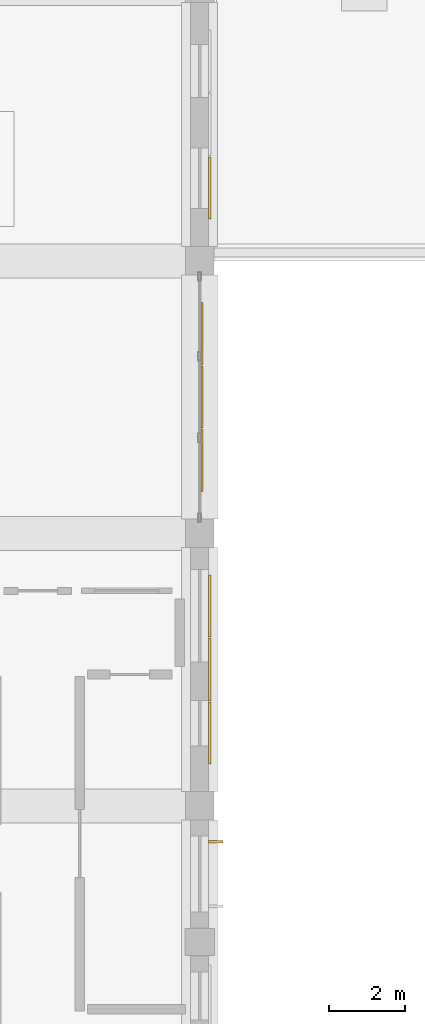
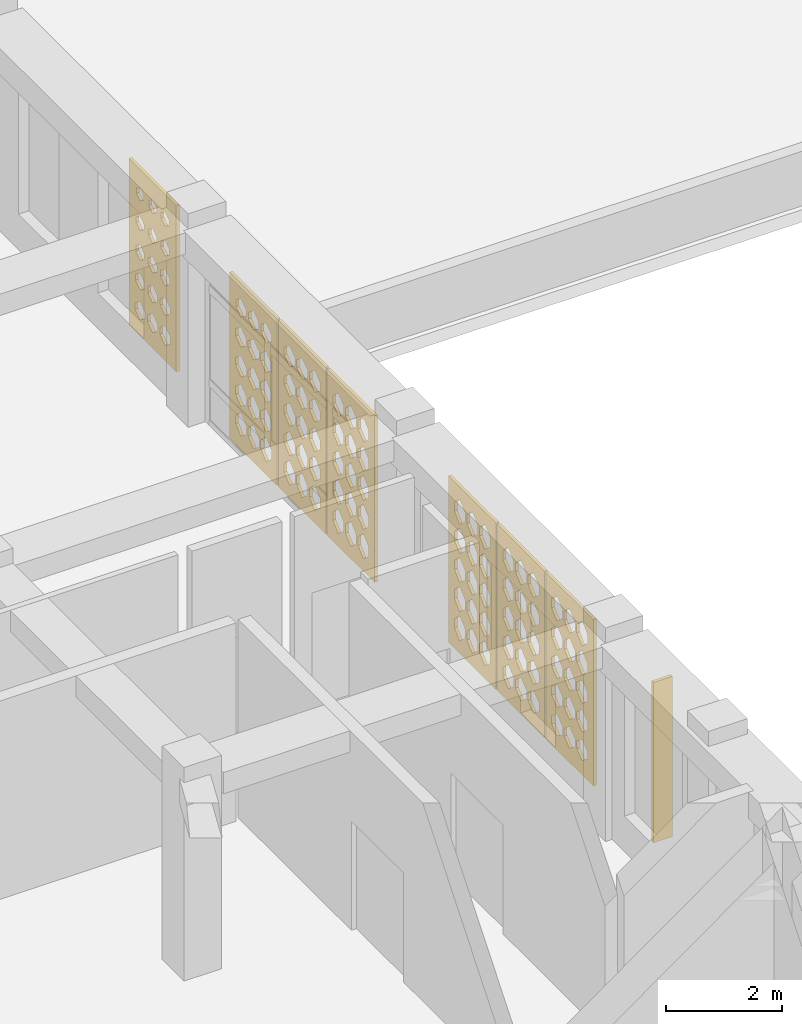
# One storey, part 111 of 121: 7 coverings, 1 shading device.
"""IFC4 building model written with IfcOpenShell, lengths in metres."""

from ifc_helpers import new_model, si_unit, derived_unit, direction, frame, origin, origin_2d, place, context, subcontext, project, spatial, polyline, rectangle, outline, extrude, material, layer, layer_set, type_object, element, save


model = new_model("IFC4")

# Units and contexts
model_context = context("Model", 3, precision=1e-05, world=origin(), true_north=direction((0.0, 1.0)))
body_context = subcontext(model_context, "Body", "Model", "MODEL_VIEW")
ifc_project = project(units=[si_unit("LENGTHUNIT", "METRE"), si_unit("AREAUNIT", "SQUARE_METRE"), si_unit("VOLUMEUNIT", "CUBIC_METRE"), si_unit("PLANEANGLEUNIT", "RADIAN"), si_unit("MASSUNIT", "GRAM", prefix="KILO"), derived_unit("THERMALTRANSMITTANCEUNIT", [(si_unit("POWERUNIT", "WATT"), 1), (si_unit("LENGTHUNIT", "METRE"), -2), (si_unit("THERMODYNAMICTEMPERATUREUNIT", "KELVIN"), -1)])], contexts=[model_context])

# Site, building, storey
site_placement = place(None, origin())
site = spatial("IfcSite", under=ifc_project, at=site_placement, CompositionType="ELEMENT")
building_placement = place(site_placement, origin())
building = spatial("IfcBuilding", under=site, at=building_placement, Name="Veybourne Emporium", CompositionType="ELEMENT")
storey_placement = place(building_placement, frame((0.0, 0.0, 5.39990234375)))
storey = spatial("IfcBuildingStorey", under=building, at=storey_placement, Name="L01", CompositionType="ELEMENT", Elevation=5.39990234375)

# Shading device
ifc_material_1 = material(Name="Patinated Architectural Bronze", Category="bronze")
shading_device_type = type_object("IfcShadingDeviceType", Name="SolarFin_FIN-01", PredefinedType="USERDEFINED", material=ifc_material_1)
shading_device_placement = place(storey_placement, frame((101.22900390625, 63.85400390625, 0.125244140625), z_axis=(0.0, 0.0, 1.0), x_axis=(0.0, -1.0, 0.0)))
element("IfcShadingDevice", 1, at=shading_device_placement, inside=storey, type_object=shading_device_type, Name="L01 bronze brise-soleil fin FIN-01 (52A.1)", ObjectType="FIN", PredefinedType="USERDEFINED", context=body_context, shape_type="SweptSolid", body=[
    extrude(rectangle(XDim=0.06494140625, YDim=0.3798828125, at=origin_2d()), origin(), (0.0, 0.0, 1.0), 3.3798828125),
])

# Coverings
ifc_material_2 = material(Name="Warm-White Perforated Aluminium Screen Alloy", Category="aluminium")
ifc_layer_1 = layer(ifc_material_2, 0.06005859375)
ifc_layer_set_1 = layer_set([ifc_layer_1], Name="Warm-White Perforated Aluminium Screen Alloy")
covering_type_1 = type_object("IfcCoveringType", Name="WaveScreen_SCR-01", PredefinedType="CLADDING", material=ifc_layer_set_1)
covering_1_placement = place(storey_placement, frame((101.09814453125, 68.39990234375, 1.815185546875), z_axis=(-1.0, 0.0, 0.0), x_axis=(0.0, -1.0, 0.0)))
element("IfcCovering", 2, at=covering_1_placement, inside=storey, type_object=covering_type_1, Name="L01 wave-perforated aluminium screen SCR-01 (53.2)", PredefinedType="CLADDING", context=body_context, shape_type="SweptSolid", body=[
    extrude(outline(polyline([(-0.81982421875, -1.7548828125), (0.81982421875, -1.7548828125), (0.81982421875, 1.7548828125), (-0.81982421875, 1.7548828125), (-0.81982421875, -1.7548828125)]), holes=[polyline([(-0.433349609375, -0.973876953125), (-0.2470703125, -1.136474609375), (-0.2470703125, -1.319580078125), (-0.433349609375, -1.482177734375), (-0.61962890625, -1.319580078125), (-0.61962890625, -1.136474609375), (-0.433349609375, -0.973876953125)]), polyline([(-0.433349609375, -0.351318359375), (-0.2470703125, -0.51953125), (-0.2470703125, -0.70849609375), (-0.433349609375, -0.876708984375), (-0.61962890625, -0.70849609375), (-0.61962890625, -0.51953125), (-0.433349609375, -0.351318359375)]), polyline([(-0.433349609375, 0.263916015625), (-0.2470703125, 0.094970703125), (-0.2470703125, -0.094970703125), (-0.433349609375, -0.263916015625), (-0.61962890625, -0.094970703125), (-0.61962890625, 0.094970703125), (-0.433349609375, 0.263916015625)]), polyline([(-0.433349609375, 0.8779296875), (-0.2470703125, 0.708984375), (-0.2470703125, 0.51904296875), (-0.433349609375, 0.35009765625), (-0.61962890625, 0.51904296875), (-0.61962890625, 0.708984375), (-0.433349609375, 0.8779296875)]), polyline([(-0.433349609375, 1.491943359375), (-0.2470703125, 1.322998046875), (-0.2470703125, 1.133056640625), (-0.433349609375, 0.964111328125), (-0.61962890625, 1.133056640625), (-0.61962890625, 1.322998046875), (-0.433349609375, 1.491943359375)]), polyline([(0.0, -0.978515625), (0.186279296875, -1.13818359375), (0.186279296875, -1.31787109375), (0.0, -1.4775390625), (-0.186279296875, -1.31787109375), (-0.186279296875, -1.13818359375), (0.0, -0.978515625)]), polyline([(0.0, -0.35498046875), (0.186279296875, -0.520751953125), (0.186279296875, -0.707275390625), (0.0, -0.873046875), (-0.186279296875, -0.707275390625), (-0.186279296875, -0.520751953125), (0.0, -0.35498046875)]), polyline([(0.0, 0.263916015625), (0.186279296875, 0.094970703125), (0.186279296875, -0.094970703125), (0.0, -0.263916015625), (-0.186279296875, -0.094970703125), (-0.186279296875, 0.094970703125), (0.0, 0.263916015625)]), polyline([(0.0, 0.8779296875), (0.186279296875, 0.708984375), (0.186279296875, 0.51904296875), (0.0, 0.35009765625), (-0.186279296875, 0.51904296875), (-0.186279296875, 0.708984375), (0.0, 0.8779296875)]), polyline([(0.0, 1.491943359375), (0.186279296875, 1.322998046875), (0.186279296875, 1.133056640625), (0.0, 0.964111328125), (-0.186279296875, 1.133056640625), (-0.186279296875, 1.322998046875), (0.0, 1.491943359375)]), polyline([(0.433349609375, -0.983154296875), (0.61962890625, -1.139892578125), (0.61962890625, -1.316162109375), (0.433349609375, -1.472900390625), (0.2470703125, -1.316162109375), (0.2470703125, -1.139892578125), (0.433349609375, -0.983154296875)]), polyline([(0.433349609375, -0.359130859375), (0.61962890625, -0.522216796875), (0.61962890625, -0.705810546875), (0.433349609375, -0.868896484375), (0.2470703125, -0.705810546875), (0.2470703125, -0.522216796875), (0.433349609375, -0.359130859375)]), polyline([(0.433349609375, 0.26318359375), (0.61962890625, 0.0947265625), (0.61962890625, -0.0947265625), (0.433349609375, -0.26318359375), (0.2470703125, -0.0947265625), (0.2470703125, 0.0947265625), (0.433349609375, 0.26318359375)]), polyline([(0.433349609375, 0.8779296875), (0.61962890625, 0.708984375), (0.61962890625, 0.51904296875), (0.433349609375, 0.35009765625), (0.2470703125, 0.51904296875), (0.2470703125, 0.708984375), (0.433349609375, 0.8779296875)]), polyline([(0.433349609375, 1.491943359375), (0.61962890625, 1.322998046875), (0.61962890625, 1.133056640625), (0.433349609375, 0.964111328125), (0.2470703125, 1.133056640625), (0.2470703125, 1.322998046875), (0.433349609375, 1.491943359375)])]), origin(), (0.0, 0.0, 1.0), 0.06005859375),
])
covering_2_placement = place(storey_placement, frame((100.89404296875, 77.280029296875, 1.815185546875), z_axis=(-1.0, 0.0, 0.0), x_axis=(0.0, -1.0, 0.0)))
element("IfcCovering", 3, at=covering_2_placement, inside=storey, type_object=covering_type_1, Name="L01 wave-perforated aluminium screen SCR-01 (54C.1)", PredefinedType="CLADDING", context=body_context, shape_type="SweptSolid", body=[
    extrude(outline(polyline([(-0.81982421875, -1.7548828125), (0.81982421875, -1.7548828125), (0.81982421875, 1.7548828125), (-0.81982421875, 1.7548828125), (-0.81982421875, -1.7548828125)]), holes=[polyline([(-0.433349609375, -0.97998046875), (-0.2470703125, -1.138671875), (-0.2470703125, -1.3173828125), (-0.433349609375, -1.47607421875), (-0.61962890625, -1.3173828125), (-0.61962890625, -1.138671875), (-0.433349609375, -0.97998046875)]), polyline([(-0.433349609375, -0.377197265625), (-0.2470703125, -0.52880859375), (-0.2470703125, -0.69921875), (-0.433349609375, -0.8505859375), (-0.61962890625, -0.69921875), (-0.61962890625, -0.52880859375), (-0.433349609375, -0.377197265625)]), polyline([(-0.433349609375, 0.22412109375), (-0.2470703125, 0.080810546875), (-0.2470703125, -0.080810546875), (-0.433349609375, -0.22412109375), (-0.61962890625, -0.080810546875), (-0.61962890625, 0.080810546875), (-0.433349609375, 0.22412109375)]), polyline([(-0.433349609375, 0.82470703125), (-0.2509765625, 0.689697265625), (-0.2509765625, 0.5380859375), (-0.433349609375, 0.4033203125), (-0.61572265625, 0.5380859375), (-0.61572265625, 0.689697265625), (-0.433349609375, 0.82470703125)]), polyline([(-0.433349609375, 1.424560546875), (-0.262451171875, 1.298828125), (-0.262451171875, 1.1572265625), (-0.433349609375, 1.031494140625), (-0.604248046875, 1.1572265625), (-0.604248046875, 1.298828125), (-0.433349609375, 1.424560546875)]), polyline([(0.0, -0.975341796875), (0.186279296875, -1.13720703125), (0.186279296875, -1.31884765625), (0.0, -1.480712890625), (-0.186279296875, -1.31884765625), (-0.186279296875, -1.13720703125), (0.0, -0.975341796875)]), polyline([(0.0, -0.3720703125), (0.186279296875, -0.52685546875), (0.186279296875, -0.701171875), (0.0, -0.85595703125), (-0.186279296875, -0.701171875), (-0.186279296875, -0.52685546875), (0.0, -0.3720703125)]), polyline([(0.0, 0.22998046875), (0.186279296875, 0.082763671875), (0.186279296875, -0.082763671875), (0.0, -0.22998046875), (-0.186279296875, -0.082763671875), (-0.186279296875, 0.082763671875), (0.0, 0.22998046875)]), polyline([(0.0, 0.830810546875), (0.186279296875, 0.692138671875), (0.186279296875, 0.535888671875), (0.0, 0.397216796875), (-0.186279296875, 0.535888671875), (-0.186279296875, 0.692138671875), (0.0, 0.830810546875)]), polyline([(0.0, 1.430908203125), (0.176025390625, 1.301025390625), (0.176025390625, 1.15478515625), (0.0, 1.02490234375), (-0.176025390625, 1.15478515625), (-0.176025390625, 1.301025390625), (0.0, 1.430908203125)]), polyline([(0.433349609375, -0.97119140625), (0.61962890625, -1.135498046875), (0.61962890625, -1.3203125), (0.433349609375, -1.48486328125), (0.2470703125, -1.3203125), (0.2470703125, -1.135498046875), (0.433349609375, -0.97119140625)]), polyline([(0.433349609375, -0.366943359375), (0.61962890625, -0.525146484375), (0.61962890625, -0.702880859375), (0.433349609375, -0.861083984375), (0.2470703125, -0.702880859375), (0.2470703125, -0.525146484375), (0.433349609375, -0.366943359375)]), polyline([(0.433349609375, 0.235595703125), (0.61962890625, 0.084716796875), (0.61962890625, -0.084716796875), (0.433349609375, -0.235595703125), (0.2470703125, -0.084716796875), (0.2470703125, 0.084716796875), (0.433349609375, 0.235595703125)]), polyline([(0.433349609375, 0.8369140625), (0.61962890625, 0.694091796875), (0.61962890625, 0.53369140625), (0.433349609375, 0.39111328125), (0.2470703125, 0.53369140625), (0.2470703125, 0.694091796875), (0.433349609375, 0.8369140625)]), polyline([(0.433349609375, 1.437255859375), (0.614501953125, 1.303466796875), (0.614501953125, 1.152587890625), (0.433349609375, 1.018798828125), (0.252197265625, 1.152587890625), (0.252197265625, 1.303466796875), (0.433349609375, 1.437255859375)])]), origin(), (0.0, 0.0, 1.0), 0.06005859375),
])
ifc_layer_2 = layer(ifc_material_2, 0.06005859375)
ifc_layer_set_2 = layer_set([ifc_layer_2], Name="Warm-White Perforated Aluminium Screen Alloy")
covering_type_2 = type_object("IfcCoveringType", Name="WaveScreen_SCR-02", PredefinedType="CLADDING", material=ifc_layer_set_2)
covering_3_placement = place(storey_placement, frame((101.09814453125, 66.719970703125, 1.815185546875), z_axis=(-1.0, 0.0, 0.0), x_axis=(0.0, -1.0, 0.0)))
element("IfcCovering", 4, at=covering_3_placement, inside=storey, type_object=covering_type_2, Name="L01 wave-perforated aluminium screen SCR-02 (53.3)", PredefinedType="CLADDING", context=body_context, shape_type="SweptSolid", body=[
    extrude(outline(polyline([(-0.81982421875, -1.7548828125), (0.81982421875, -1.7548828125), (0.81982421875, 1.7548828125), (-0.81982421875, 1.7548828125), (-0.81982421875, -1.7548828125)]), holes=[polyline([(-0.433349609375, -0.9931640625), (-0.2470703125, -1.143310546875), (-0.2470703125, -1.3125), (-0.433349609375, -1.462890625), (-0.61962890625, -1.3125), (-0.61962890625, -1.143310546875), (-0.433349609375, -0.9931640625)]), polyline([(-0.433349609375, -0.36767578125), (-0.2470703125, -0.525390625), (-0.2470703125, -0.70263671875), (-0.433349609375, -0.8603515625), (-0.61962890625, -0.70263671875), (-0.61962890625, -0.525390625), (-0.433349609375, -0.36767578125)]), polyline([(-0.433349609375, 0.25634765625), (-0.2470703125, 0.09228515625), (-0.2470703125, -0.09228515625), (-0.433349609375, -0.25634765625), (-0.61962890625, -0.09228515625), (-0.61962890625, 0.09228515625), (-0.433349609375, 0.25634765625)]), polyline([(-0.433349609375, 0.8779296875), (-0.2470703125, 0.708984375), (-0.2470703125, 0.51904296875), (-0.433349609375, 0.35009765625), (-0.61962890625, 0.51904296875), (-0.61962890625, 0.708984375), (-0.433349609375, 0.8779296875)]), polyline([(-0.433349609375, 1.491943359375), (-0.2470703125, 1.322998046875), (-0.2470703125, 1.133056640625), (-0.433349609375, 0.964111328125), (-0.61962890625, 1.133056640625), (-0.61962890625, 1.322998046875), (-0.433349609375, 1.491943359375)]), polyline([(0.0, -0.998779296875), (0.186279296875, -1.1455078125), (0.186279296875, -1.310546875), (0.0, -1.457275390625), (-0.186279296875, -1.310546875), (-0.186279296875, -1.1455078125), (0.0, -0.998779296875)]), polyline([(0.0, -0.37255859375), (0.186279296875, -0.527099609375), (0.186279296875, -0.700927734375), (0.0, -0.85546875), (-0.186279296875, -0.700927734375), (-0.186279296875, -0.527099609375), (0.0, -0.37255859375)]), polyline([(0.0, 0.251953125), (0.186279296875, 0.0908203125), (0.186279296875, -0.0908203125), (0.0, -0.251953125), (-0.186279296875, -0.0908203125), (-0.186279296875, 0.0908203125), (0.0, 0.251953125)]), polyline([(0.0, 0.875), (0.186279296875, 0.7080078125), (0.186279296875, 0.52001953125), (0.0, 0.35302734375), (-0.186279296875, 0.52001953125), (-0.186279296875, 0.7080078125), (0.0, 0.875)]), polyline([(0.0, 1.491943359375), (0.186279296875, 1.322998046875), (0.186279296875, 1.133056640625), (0.0, 0.964111328125), (-0.186279296875, 1.133056640625), (-0.186279296875, 1.322998046875), (0.0, 1.491943359375)]), polyline([(0.433349609375, -1.004638671875), (0.61962890625, -1.147705078125), (0.61962890625, -1.308349609375), (0.433349609375, -1.451416015625), (0.2470703125, -1.308349609375), (0.2470703125, -1.147705078125), (0.433349609375, -1.004638671875)]), polyline([(0.433349609375, -0.3779296875), (0.61962890625, -0.529052734375), (0.61962890625, -0.698974609375), (0.433349609375, -0.85009765625), (0.2470703125, -0.698974609375), (0.2470703125, -0.529052734375), (0.433349609375, -0.3779296875)]), polyline([(0.433349609375, 0.247314453125), (0.61962890625, 0.089111328125), (0.61962890625, -0.089111328125), (0.433349609375, -0.247314453125), (0.2470703125, -0.089111328125), (0.2470703125, 0.089111328125), (0.433349609375, 0.247314453125)]), polyline([(0.433349609375, 0.87109375), (0.61962890625, 0.70654296875), (0.61962890625, 0.521484375), (0.433349609375, 0.35693359375), (0.2470703125, 0.521484375), (0.2470703125, 0.70654296875), (0.433349609375, 0.87109375)]), polyline([(0.433349609375, 1.491943359375), (0.61962890625, 1.322998046875), (0.61962890625, 1.133056640625), (0.433349609375, 0.964111328125), (0.2470703125, 1.133056640625), (0.2470703125, 1.322998046875), (0.433349609375, 1.491943359375)])]), origin(), (0.0, 0.0, 1.0), 0.06005859375),
])
covering_4_placement = place(storey_placement, frame((100.89404296875, 75.60009765625, 1.815185546875), z_axis=(-1.0, 0.0, 0.0), x_axis=(0.0, -1.0, 0.0)))
element("IfcCovering", 5, at=covering_4_placement, inside=storey, type_object=covering_type_2, Name="L01 wave-perforated aluminium screen SCR-02 (54C.2)", PredefinedType="CLADDING", context=body_context, shape_type="SweptSolid", body=[
    extrude(outline(polyline([(-0.81982421875, -1.7548828125), (0.81982421875, -1.7548828125), (0.81982421875, 1.7548828125), (-0.81982421875, 1.7548828125), (-0.81982421875, -1.7548828125)]), holes=[polyline([(-0.433349609375, -0.96435546875), (-0.2470703125, -1.133056640625), (-0.2470703125, -1.322998046875), (-0.433349609375, -1.49169921875), (-0.61962890625, -1.322998046875), (-0.61962890625, -1.133056640625), (-0.433349609375, -0.96435546875)]), polyline([(-0.433349609375, -0.358642578125), (-0.2470703125, -0.52197265625), (-0.2470703125, -0.7060546875), (-0.433349609375, -0.869384765625), (-0.61962890625, -0.7060546875), (-0.61962890625, -0.52197265625), (-0.433349609375, -0.358642578125)]), polyline([(-0.433349609375, 0.245361328125), (-0.2470703125, 0.08837890625), (-0.2470703125, -0.08837890625), (-0.433349609375, -0.245361328125), (-0.61962890625, -0.08837890625), (-0.61962890625, 0.08837890625), (-0.433349609375, 0.245361328125)]), polyline([(-0.433349609375, 0.847900390625), (-0.2470703125, 0.6982421875), (-0.2470703125, 0.52978515625), (-0.433349609375, 0.380126953125), (-0.61962890625, 0.52978515625), (-0.61962890625, 0.6982421875), (-0.433349609375, 0.847900390625)]), polyline([(-0.433349609375, 1.448974609375), (-0.2470703125, 1.3076171875), (-0.2470703125, 1.1484375), (-0.433349609375, 1.007080078125), (-0.61962890625, 1.1484375), (-0.61962890625, 1.3076171875), (-0.433349609375, 1.448974609375)]), polyline([(0.0, -0.964111328125), (0.186279296875, -1.133056640625), (0.186279296875, -1.322998046875), (0.0, -1.491943359375), (-0.186279296875, -1.322998046875), (-0.186279296875, -1.133056640625), (0.0, -0.964111328125)]), polyline([(0.0, -0.3544921875), (0.186279296875, -0.5205078125), (0.186279296875, -0.70751953125), (0.0, -0.873291015625), (-0.186279296875, -0.70751953125), (-0.186279296875, -0.5205078125), (0.0, -0.3544921875)]), polyline([(0.0, 0.250244140625), (0.186279296875, 0.090087890625), (0.186279296875, -0.090087890625), (0.0, -0.250244140625), (-0.186279296875, -0.090087890625), (-0.186279296875, 0.090087890625), (0.0, 0.250244140625)]), polyline([(0.0, 0.853271484375), (0.186279296875, 0.7001953125), (0.186279296875, 0.52783203125), (0.0, 0.374755859375), (-0.186279296875, 0.52783203125), (-0.186279296875, 0.7001953125), (0.0, 0.853271484375)]), polyline([(0.0, 1.454833984375), (0.186279296875, 1.309814453125), (0.186279296875, 1.146240234375), (0.0, 1.001220703125), (-0.186279296875, 1.146240234375), (-0.186279296875, 1.309814453125), (0.0, 1.454833984375)]), polyline([(0.433349609375, -0.964111328125), (0.61962890625, -1.133056640625), (0.61962890625, -1.322998046875), (0.433349609375, -1.491943359375), (0.2470703125, -1.322998046875), (0.2470703125, -1.133056640625), (0.433349609375, -0.964111328125)]), polyline([(0.433349609375, -0.35107421875), (0.61962890625, -0.519287109375), (0.61962890625, -0.708740234375), (0.433349609375, -0.876953125), (0.2470703125, -0.708740234375), (0.2470703125, -0.519287109375), (0.433349609375, -0.35107421875)]), polyline([(0.433349609375, 0.254638671875), (0.61962890625, 0.091552734375), (0.61962890625, -0.091552734375), (0.433349609375, -0.254638671875), (0.2470703125, -0.091552734375), (0.2470703125, 0.091552734375), (0.433349609375, 0.254638671875)]), polyline([(0.433349609375, 0.8583984375), (0.61962890625, 0.701904296875), (0.61962890625, 0.52587890625), (0.433349609375, 0.36962890625), (0.2470703125, 0.52587890625), (0.2470703125, 0.701904296875), (0.433349609375, 0.8583984375)]), polyline([(0.433349609375, 1.460693359375), (0.61962890625, 1.311767578125), (0.61962890625, 1.144287109375), (0.433349609375, 0.995361328125), (0.2470703125, 1.144287109375), (0.2470703125, 1.311767578125), (0.433349609375, 1.460693359375)])]), origin(), (0.0, 0.0, 1.0), 0.06005859375),
])
ifc_layer_3 = layer(ifc_material_2, 0.06005859375)
ifc_layer_set_3 = layer_set([ifc_layer_3], Name="Warm-White Perforated Aluminium Screen Alloy")
covering_type_3 = type_object("IfcCoveringType", Name="WaveScreen_SCR-03", PredefinedType="CLADDING", material=ifc_layer_set_3)
covering_5_placement = place(storey_placement, frame((100.89404296875, 73.919921875, 1.815185546875), z_axis=(-1.0, 0.0, 0.0), x_axis=(0.0, -1.0, 0.0)))
element("IfcCovering", 6, at=covering_5_placement, inside=storey, type_object=covering_type_3, Name="L01 wave-perforated aluminium screen SCR-03 (54C.3)", PredefinedType="CLADDING", context=body_context, shape_type="SweptSolid", body=[
    extrude(outline(polyline([(-0.81982421875, -1.7548828125), (0.81982421875, -1.7548828125), (0.81982421875, 1.7548828125), (-0.81982421875, 1.7548828125), (-0.81982421875, -1.7548828125)]), holes=[polyline([(-0.433349609375, -0.964111328125), (-0.2470703125, -1.133056640625), (-0.2470703125, -1.322998046875), (-0.433349609375, -1.491943359375), (-0.61962890625, -1.322998046875), (-0.61962890625, -1.133056640625), (-0.433349609375, -0.964111328125)]), polyline([(-0.433349609375, -0.35009765625), (-0.2470703125, -0.51904296875), (-0.2470703125, -0.708984375), (-0.433349609375, -0.8779296875), (-0.61962890625, -0.708984375), (-0.61962890625, -0.51904296875), (-0.433349609375, -0.35009765625)]), polyline([(-0.433349609375, 0.26171875), (-0.2470703125, 0.09423828125), (-0.2470703125, -0.09423828125), (-0.433349609375, -0.26171875), (-0.61962890625, -0.09423828125), (-0.61962890625, 0.09423828125), (-0.433349609375, 0.26171875)]), polyline([(-0.433349609375, 0.8671875), (-0.2470703125, 0.705078125), (-0.2470703125, 0.52294921875), (-0.433349609375, 0.36083984375), (-0.61962890625, 0.52294921875), (-0.61962890625, 0.705078125), (-0.433349609375, 0.8671875)]), polyline([(-0.433349609375, 1.470703125), (-0.2470703125, 1.3154296875), (-0.2470703125, 1.140625), (-0.433349609375, 0.9853515625), (-0.61962890625, 1.140625), (-0.61962890625, 1.3154296875), (-0.433349609375, 1.470703125)]), polyline([(0.0, -0.964111328125), (0.186279296875, -1.133056640625), (0.186279296875, -1.322998046875), (0.0, -1.491943359375), (-0.186279296875, -1.322998046875), (-0.186279296875, -1.133056640625), (0.0, -0.964111328125)]), polyline([(0.0, -0.35009765625), (0.186279296875, -0.51904296875), (0.186279296875, -0.708984375), (0.0, -0.8779296875), (-0.186279296875, -0.708984375), (-0.186279296875, -0.51904296875), (0.0, -0.35009765625)]), polyline([(0.0, 0.263916015625), (0.186279296875, 0.094970703125), (0.186279296875, -0.094970703125), (0.0, -0.263916015625), (-0.186279296875, -0.094970703125), (-0.186279296875, 0.094970703125), (0.0, 0.263916015625)]), polyline([(0.0, 0.871337890625), (0.186279296875, 0.70654296875), (0.186279296875, 0.521484375), (0.0, 0.356689453125), (-0.186279296875, 0.521484375), (-0.186279296875, 0.70654296875), (0.0, 0.871337890625)]), polyline([(0.0, 1.4755859375), (0.186279296875, 1.317138671875), (0.186279296875, 1.138916015625), (0.0, 0.980224609375), (-0.186279296875, 1.138916015625), (-0.186279296875, 1.317138671875), (0.0, 1.4755859375)]), polyline([(0.433349609375, -0.964111328125), (0.61962890625, -1.133056640625), (0.61962890625, -1.322998046875), (0.433349609375, -1.491943359375), (0.2470703125, -1.322998046875), (0.2470703125, -1.133056640625), (0.433349609375, -0.964111328125)]), polyline([(0.433349609375, -0.35009765625), (0.61962890625, -0.51904296875), (0.61962890625, -0.708984375), (0.433349609375, -0.8779296875), (0.2470703125, -0.708984375), (0.2470703125, -0.51904296875), (0.433349609375, -0.35009765625)]), polyline([(0.433349609375, 0.263916015625), (0.61962890625, 0.094970703125), (0.61962890625, -0.094970703125), (0.433349609375, -0.263916015625), (0.2470703125, -0.094970703125), (0.2470703125, 0.094970703125), (0.433349609375, 0.263916015625)]), polyline([(0.433349609375, 0.875), (0.61962890625, 0.7080078125), (0.61962890625, 0.52001953125), (0.433349609375, 0.352783203125), (0.2470703125, 0.52001953125), (0.2470703125, 0.7080078125), (0.433349609375, 0.875)]), polyline([(0.433349609375, 1.480224609375), (0.61962890625, 1.31884765625), (0.61962890625, 1.13720703125), (0.433349609375, 0.9755859375), (0.2470703125, 1.13720703125), (0.2470703125, 1.31884765625), (0.433349609375, 1.480224609375)])]), origin(), (0.0, 0.0, 1.0), 0.06005859375),
])
ifc_layer_4 = layer(ifc_material_2, 0.06005859375)
ifc_layer_set_4 = layer_set([ifc_layer_4], Name="Warm-White Perforated Aluminium Screen Alloy")
covering_type_4 = type_object("IfcCoveringType", Name="WaveScreen_SCR-04", PredefinedType="CLADDING", material=ifc_layer_set_4)
covering_6_placement = place(storey_placement, frame((101.09814453125, 70.080078125, 1.815185546875), z_axis=(-1.0, 0.0, 0.0), x_axis=(0.0, -1.0, 0.0)))
element("IfcCovering", 7, at=covering_6_placement, inside=storey, type_object=covering_type_4, Name="L01 wave-perforated aluminium screen SCR-04 (53.1)", PredefinedType="CLADDING", context=body_context, shape_type="SweptSolid", body=[
    extrude(outline(polyline([(-0.81982421875, -1.7548828125), (0.81982421875, -1.7548828125), (0.81982421875, 1.7548828125), (-0.81982421875, 1.7548828125), (-0.81982421875, -1.7548828125)]), holes=[polyline([(-0.433349609375, -0.964111328125), (-0.2470703125, -1.133056640625), (-0.2470703125, -1.322998046875), (-0.433349609375, -1.491943359375), (-0.61962890625, -1.322998046875), (-0.61962890625, -1.133056640625), (-0.433349609375, -0.964111328125)]), polyline([(-0.433349609375, -0.35009765625), (-0.2470703125, -0.51904296875), (-0.2470703125, -0.708984375), (-0.433349609375, -0.8779296875), (-0.61962890625, -0.708984375), (-0.61962890625, -0.51904296875), (-0.433349609375, -0.35009765625)]), polyline([(-0.433349609375, 0.263916015625), (-0.2470703125, 0.094970703125), (-0.2470703125, -0.094970703125), (-0.433349609375, -0.263916015625), (-0.61962890625, -0.094970703125), (-0.61962890625, 0.094970703125), (-0.433349609375, 0.263916015625)]), polyline([(-0.433349609375, 0.8779296875), (-0.2470703125, 0.708984375), (-0.2470703125, 0.51904296875), (-0.433349609375, 0.35009765625), (-0.61962890625, 0.51904296875), (-0.61962890625, 0.708984375), (-0.433349609375, 0.8779296875)]), polyline([(-0.433349609375, 1.491943359375), (-0.2470703125, 1.322998046875), (-0.2470703125, 1.133056640625), (-0.433349609375, 0.964111328125), (-0.61962890625, 1.133056640625), (-0.61962890625, 1.322998046875), (-0.433349609375, 1.491943359375)]), polyline([(0.0, -0.964111328125), (0.186279296875, -1.133056640625), (0.186279296875, -1.322998046875), (0.0, -1.491943359375), (-0.186279296875, -1.322998046875), (-0.186279296875, -1.133056640625), (0.0, -0.964111328125)]), polyline([(0.0, -0.35009765625), (0.186279296875, -0.51904296875), (0.186279296875, -0.708984375), (0.0, -0.8779296875), (-0.186279296875, -0.708984375), (-0.186279296875, -0.51904296875), (0.0, -0.35009765625)]), polyline([(0.0, 0.263916015625), (0.186279296875, 0.094970703125), (0.186279296875, -0.094970703125), (0.0, -0.263916015625), (-0.186279296875, -0.094970703125), (-0.186279296875, 0.094970703125), (0.0, 0.263916015625)]), polyline([(0.0, 0.8779296875), (0.186279296875, 0.708984375), (0.186279296875, 0.51904296875), (0.0, 0.35009765625), (-0.186279296875, 0.51904296875), (-0.186279296875, 0.708984375), (0.0, 0.8779296875)]), polyline([(0.0, 1.491943359375), (0.186279296875, 1.322998046875), (0.186279296875, 1.133056640625), (0.0, 0.964111328125), (-0.186279296875, 1.133056640625), (-0.186279296875, 1.322998046875), (0.0, 1.491943359375)]), polyline([(0.433349609375, -0.966552734375), (0.61962890625, -1.1337890625), (0.61962890625, -1.322021484375), (0.433349609375, -1.489501953125), (0.2470703125, -1.322021484375), (0.2470703125, -1.1337890625), (0.433349609375, -0.966552734375)]), polyline([(0.433349609375, -0.35009765625), (0.61962890625, -0.51904296875), (0.61962890625, -0.708984375), (0.433349609375, -0.8779296875), (0.2470703125, -0.708984375), (0.2470703125, -0.51904296875), (0.433349609375, -0.35009765625)]), polyline([(0.433349609375, 0.263916015625), (0.61962890625, 0.094970703125), (0.61962890625, -0.094970703125), (0.433349609375, -0.263916015625), (0.2470703125, -0.094970703125), (0.2470703125, 0.094970703125), (0.433349609375, 0.263916015625)]), polyline([(0.433349609375, 0.8779296875), (0.61962890625, 0.708984375), (0.61962890625, 0.51904296875), (0.433349609375, 0.35009765625), (0.2470703125, 0.51904296875), (0.2470703125, 0.708984375), (0.433349609375, 0.8779296875)]), polyline([(0.433349609375, 1.491943359375), (0.61962890625, 1.322998046875), (0.61962890625, 1.133056640625), (0.433349609375, 0.964111328125), (0.2470703125, 1.133056640625), (0.2470703125, 1.322998046875), (0.433349609375, 1.491943359375)])]), origin(), (0.0, 0.0, 1.0), 0.06005859375),
])
covering_7_placement = place(storey_placement, frame((101.09814453125, 81.1201171875, 1.815185546875), z_axis=(-1.0, 0.0, 0.0), x_axis=(0.0, -1.0, 0.0)))
element("IfcCovering", 8, at=covering_7_placement, inside=storey, type_object=covering_type_4, Name="L01 wave-perforated aluminium screen SCR-04 (55.3)", PredefinedType="CLADDING", context=body_context, shape_type="SweptSolid", body=[
    extrude(outline(polyline([(-0.81982421875, -1.7548828125), (0.81982421875, -1.7548828125), (0.81982421875, 1.7548828125), (-0.81982421875, 1.7548828125), (-0.81982421875, -1.7548828125)]), holes=[polyline([(-0.433349609375, -1.03466796875), (-0.26513671875, -1.158447265625), (-0.26513671875, -1.297607421875), (-0.433349609375, -1.42138671875), (-0.6015625, -1.297607421875), (-0.6015625, -1.158447265625), (-0.433349609375, -1.03466796875)]), polyline([(-0.433349609375, -0.434814453125), (-0.27685546875, -0.549560546875), (-0.27685546875, -0.678466796875), (-0.433349609375, -0.793212890625), (-0.58984375, -0.678466796875), (-0.58984375, -0.549560546875), (-0.433349609375, -0.434814453125)]), polyline([(-0.433349609375, 0.165283203125), (-0.2880859375, 0.0595703125), (-0.2880859375, -0.0595703125), (-0.433349609375, -0.165283203125), (-0.57861328125, -0.0595703125), (-0.57861328125, 0.0595703125), (-0.433349609375, 0.165283203125)]), polyline([(-0.433349609375, 0.7666015625), (-0.298583984375, 0.6689453125), (-0.298583984375, 0.55908203125), (-0.433349609375, 0.46142578125), (-0.568115234375, 0.55908203125), (-0.568115234375, 0.6689453125), (-0.433349609375, 0.7666015625)]), polyline([(-0.433349609375, 1.36865234375), (-0.30810546875, 1.27880859375), (-0.30810546875, 1.17724609375), (-0.433349609375, 1.08740234375), (-0.55859375, 1.17724609375), (-0.55859375, 1.27880859375), (-0.433349609375, 1.36865234375)]), polyline([(0.0, -1.0283203125), (0.17333984375, -1.156005859375), (0.17333984375, -1.2998046875), (0.0, -1.427734375), (-0.17333984375, -1.2998046875), (-0.17333984375, -1.156005859375), (0.0, -1.0283203125)]), polyline([(0.0, -0.428466796875), (0.161865234375, -0.547119140625), (0.161865234375, -0.680908203125), (0.0, -0.799560546875), (-0.161865234375, -0.680908203125), (-0.161865234375, -0.547119140625), (0.0, -0.428466796875)]), polyline([(0.0, 0.171630859375), (0.150390625, 0.061767578125), (0.150390625, -0.061767578125), (0.0, -0.171630859375), (-0.150390625, -0.061767578125), (-0.150390625, 0.061767578125), (0.0, 0.171630859375)]), polyline([(0.0, 0.772216796875), (0.139404296875, 0.6708984375), (0.139404296875, 0.556884765625), (0.0, 0.455810546875), (-0.139404296875, 0.556884765625), (-0.139404296875, 0.6708984375), (0.0, 0.772216796875)]), polyline([(0.0, 1.373779296875), (0.12939453125, 1.280517578125), (0.12939453125, 1.175537109375), (0.0, 1.08203125), (-0.12939453125, 1.175537109375), (-0.12939453125, 1.280517578125), (0.0, 1.373779296875)]), polyline([(0.433349609375, -1.02197265625), (0.61181640625, -1.15380859375), (0.61181640625, -1.30224609375), (0.433349609375, -1.43408203125), (0.254638671875, -1.30224609375), (0.254638671875, -1.15380859375), (0.433349609375, -1.02197265625)]), polyline([(0.433349609375, -0.422119140625), (0.600341796875, -0.544921875), (0.600341796875, -0.68310546875), (0.433349609375, -0.805908203125), (0.266357421875, -0.68310546875), (0.266357421875, -0.544921875), (0.433349609375, -0.422119140625)]), polyline([(0.433349609375, 0.177978515625), (0.5888671875, 0.06396484375), (0.5888671875, -0.06396484375), (0.433349609375, -0.177978515625), (0.27783203125, -0.06396484375), (0.27783203125, 0.06396484375), (0.433349609375, 0.177978515625)]), polyline([(0.433349609375, 0.7783203125), (0.57763671875, 0.673095703125), (0.57763671875, 0.554931640625), (0.433349609375, 0.44970703125), (0.2890625, 0.554931640625), (0.2890625, 0.673095703125), (0.433349609375, 0.7783203125)]), polyline([(0.433349609375, 1.37939453125), (0.567138671875, 1.282470703125), (0.567138671875, 1.173583984375), (0.433349609375, 1.07666015625), (0.299560546875, 1.173583984375), (0.299560546875, 1.282470703125), (0.433349609375, 1.37939453125)])]), origin(), (0.0, 0.0, 1.0), 0.06005859375),
])

save(model, "model.ifc")
